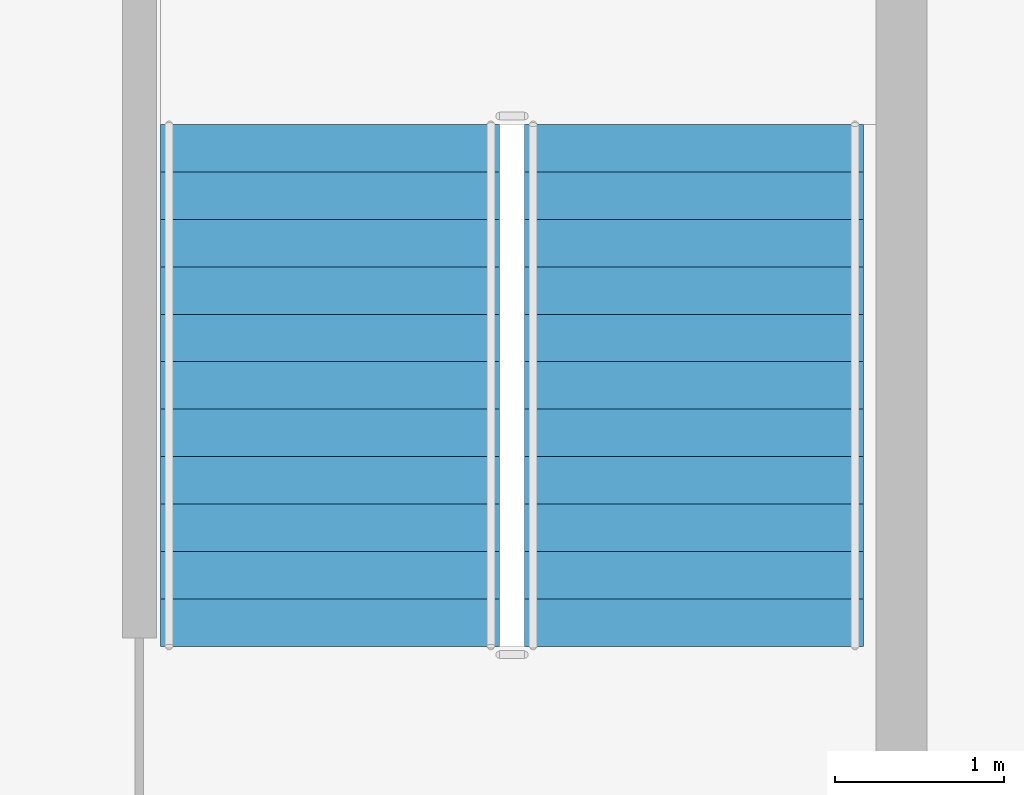
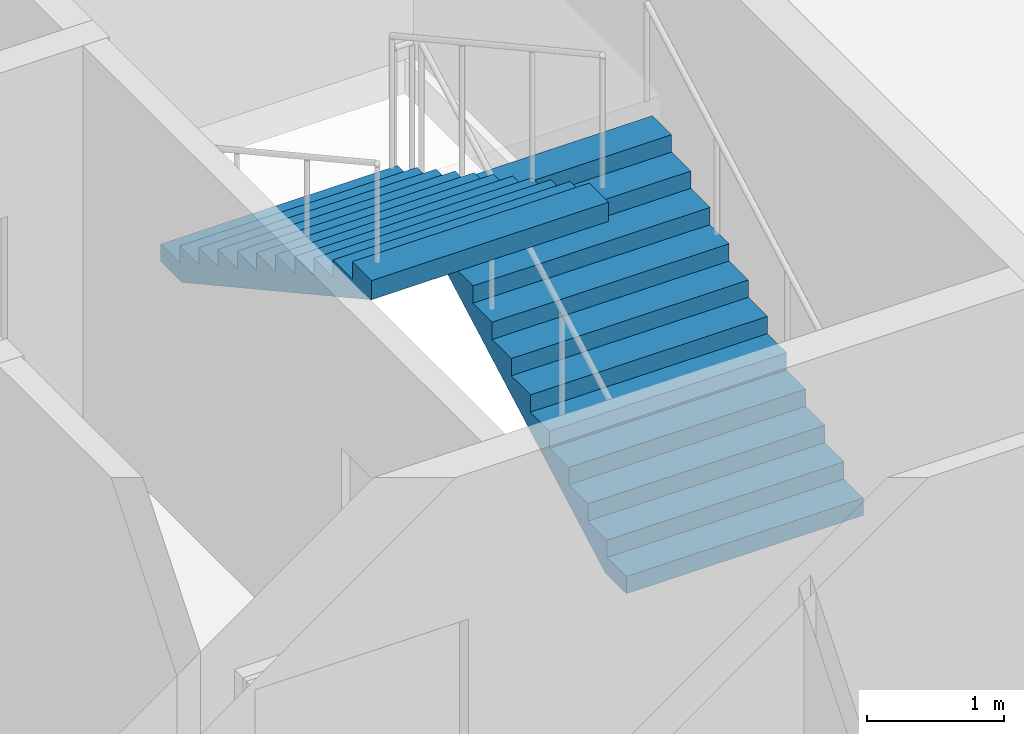
# One storey, part 10 of 12: 2 stair flights, 1 element without a shape of its own.
"""IFC4 building model written with IfcOpenShell, lengths in metres."""

from ifc_helpers import new_model, si_unit, direction, frame, origin, place, context, subcontext, project, spatial, polygons, material, type_object, element, aggregate, save


model = new_model("IFC4")

# Units and contexts
model_context = context("Model", 3, precision=1e-05, world=origin(), true_north=direction((0.0, 1.0)))
body_context = subcontext(model_context, "Body", "Model", "MODEL_VIEW")
ifc_project = project(units=[si_unit("LENGTHUNIT", "METRE"), si_unit("AREAUNIT", "SQUARE_METRE"), si_unit("VOLUMEUNIT", "CUBIC_METRE"), si_unit("PLANEANGLEUNIT", "RADIAN"), si_unit("MASSUNIT", "GRAM", prefix="KILO")], contexts=[model_context])

# Site, building, storey
site_placement = place(None, origin())
site = spatial("IfcSite", under=ifc_project, at=site_placement, CompositionType="ELEMENT")
building_placement = place(site_placement, origin())
building = spatial("IfcBuilding", under=site, at=building_placement, Name="Caravel Reach Hotel and Residences", CompositionType="ELEMENT")
storey_placement = place(building_placement, frame((0.0, 0.0, 196.10009765625)))
storey = spatial("IfcBuildingStorey", under=building, at=storey_placement, Name="L49", CompositionType="ELEMENT", Elevation=196.10009765625)

# Stair, stair flights
ifc_material_1 = material(Name="Concrete C40", Category="concrete")
stair_type = type_object("IfcStairType", Name="Core stair", PredefinedType="HALF_TURN_STAIR", material=ifc_material_1)
stair_placement = place(storey_placement, origin())
stair = element("IfcStair", 1, at=stair_placement, inside=storey, type_object=stair_type, Name="L49 Exit stair B", PredefinedType="HALF_TURN_STAIR")
ifc_material_2 = material(Name="Concrete C40", Category="concrete")
stair_flight_type = type_object("IfcStairFlightType", Name="Core stair flight", PredefinedType="STRAIGHT", material=ifc_material_2)
stair_flight_1_placement = place(storey_placement, frame((43.77490234375, 24.64990234375, 0.0), z_axis=(0.0, 0.0, 1.0), x_axis=(0.0, 1.0, 0.0)))
stair_flight_1 = element("IfcStairFlight", 2, at=stair_flight_1_placement, type_object=stair_flight_type, Name="ST-B flight 1", NumberOfRisers=12, NumberOfTreads=11, PredefinedType="STRAIGHT", RiserHeight=0.154166667, TreadLength=0.28, context=body_context, shape_type="Tessellation", body=[
    polygons([(0.3107950034306102, 1.0, 0.0), (0.3107950034306102, 0.6666666666666667, 0.0), (0.3107950034306102, 0.33333333333333337, 0.0), (0.3107950034306102, 0.0, 0.0), (0.3107950034306102, -0.33333333333333326, 0.0), (0.3107950034306102, -0.6666666666666667, 0.0), (0.3107950034306102, -1.0, 0.0), (3.081, 1.0, 1.524711087717319), (3.081, 0.6666666666666667, 1.524711087717319), (3.081, 0.33333333333333337, 1.524711087717319), (3.081, 0.0, 1.524711087717319), (3.081, -0.33333333333333326, 1.524711087717319), (3.081, -0.6666666666666667, 1.524711087717319), (3.081, -1.0, 1.524711087717319), (3.081, 1.0, 1.695833337), (3.081, 0.6666666666666667, 1.695833337), (3.081, 0.33333333333333337, 1.695833337), (3.081, 0.0, 1.695833337), (3.081, -0.33333333333333326, 1.695833337), (3.081, -0.6666666666666667, 1.695833337), (3.081, -1.0, 1.695833337), (2.8000000000000003, 1.0, 1.695833337), (2.8000000000000003, 0.6666666666666667, 1.695833337), (2.8000000000000003, 0.33333333333333337, 1.695833337), (2.8000000000000003, 0.0, 1.695833337), (2.8000000000000003, -0.33333333333333326, 1.695833337), (2.8000000000000003, -0.6666666666666667, 1.695833337), (2.8000000000000003, -1.0, 1.695833337), (2.8000000000000003, 1.0, 1.5416666700000001), (2.8000000000000003, 0.6666666666666667, 1.5416666700000001), (2.8000000000000003, 0.33333333333333337, 1.5416666700000001), (2.8000000000000003, 0.0, 1.5416666700000001), (2.8000000000000003, -0.33333333333333326, 1.5416666700000001), (2.8000000000000003, -0.6666666666666667, 1.5416666700000001), (2.8000000000000003, -1.0, 1.5416666700000001), (2.5200000000000005, 1.0, 1.5416666700000001), (2.5200000000000005, 0.6666666666666667, 1.5416666700000001), (2.5200000000000005, 0.33333333333333337, 1.5416666700000001), (2.5200000000000005, 0.0, 1.5416666700000001), (2.5200000000000005, -0.33333333333333326, 1.5416666700000001), (2.5200000000000005, -0.6666666666666667, 1.5416666700000001), (2.5200000000000005, -1.0, 1.5416666700000001), (2.5200000000000005, 1.0, 1.387500003), (2.5200000000000005, 0.6666666666666667, 1.387500003), (2.5200000000000005, 0.33333333333333337, 1.387500003), (2.5200000000000005, 0.0, 1.387500003), (2.5200000000000005, -0.33333333333333326, 1.387500003), (2.5200000000000005, -0.6666666666666667, 1.387500003), (2.5200000000000005, -1.0, 1.387500003), (2.24, 1.0, 1.387500003), (2.24, 0.6666666666666667, 1.387500003), (2.24, 0.33333333333333337, 1.387500003), (2.24, 0.0, 1.387500003), (2.24, -0.33333333333333326, 1.387500003), (2.24, -0.6666666666666667, 1.387500003), (2.24, -1.0, 1.387500003), (2.24, 1.0, 1.233333336), (2.24, 0.6666666666666667, 1.233333336), (2.24, 0.33333333333333337, 1.233333336), (2.24, 0.0, 1.233333336), (2.24, -0.33333333333333326, 1.233333336), (2.24, -0.6666666666666667, 1.233333336), (2.24, -1.0, 1.233333336), (1.9600000000000002, 1.0, 1.233333336), (1.9600000000000002, 0.6666666666666667, 1.233333336), (1.9600000000000002, 0.33333333333333337, 1.233333336), (1.9600000000000002, 0.0, 1.233333336), (1.9600000000000002, -0.33333333333333326, 1.233333336), (1.9600000000000002, -0.6666666666666667, 1.233333336), (1.9600000000000002, -1.0, 1.233333336), (1.9600000000000002, 1.0, 1.0791666690000001), (1.9600000000000002, 0.6666666666666667, 1.0791666690000001), (1.9600000000000002, 0.33333333333333337, 1.0791666690000001), (1.9600000000000002, 0.0, 1.0791666690000001), (1.9600000000000002, -0.33333333333333326, 1.0791666690000001), (1.9600000000000002, -0.6666666666666667, 1.0791666690000001), (1.9600000000000002, -1.0, 1.0791666690000001), (1.6800000000000002, 1.0, 1.0791666690000001), (1.6800000000000002, 0.6666666666666667, 1.0791666690000001), (1.6800000000000002, 0.33333333333333337, 1.0791666690000001), (1.6800000000000002, 0.0, 1.0791666690000001), (1.6800000000000002, -0.33333333333333326, 1.0791666690000001), (1.6800000000000002, -0.6666666666666667, 1.0791666690000001), (1.6800000000000002, -1.0, 1.0791666690000001), (1.6800000000000002, 1.0, 0.925000002), (1.6800000000000002, 0.6666666666666667, 0.925000002), (1.6800000000000002, 0.33333333333333337, 0.925000002), (1.6800000000000002, 0.0, 0.925000002), (1.6800000000000002, -0.33333333333333326, 0.925000002), (1.6800000000000002, -0.6666666666666667, 0.925000002), (1.6800000000000002, -1.0, 0.925000002), (1.4000000000000001, 1.0, 0.925000002), (1.4000000000000001, 0.6666666666666667, 0.925000002), (1.4000000000000001, 0.33333333333333337, 0.925000002), (1.4000000000000001, 0.0, 0.925000002), (1.4000000000000001, -0.33333333333333326, 0.925000002), (1.4000000000000001, -0.6666666666666667, 0.925000002), (1.4000000000000001, -1.0, 0.925000002), (1.4000000000000001, 1.0, 0.7708333350000001), (1.4000000000000001, 0.6666666666666667, 0.7708333350000001), (1.4000000000000001, 0.33333333333333337, 0.7708333350000001), (1.4000000000000001, 0.0, 0.7708333350000001), (1.4000000000000001, -0.33333333333333326, 0.7708333350000001), (1.4000000000000001, -0.6666666666666667, 0.7708333350000001), (1.4000000000000001, -1.0, 0.7708333350000001), (1.12, 1.0, 0.7708333350000001), (1.12, 0.6666666666666667, 0.7708333350000001), (1.12, 0.33333333333333337, 0.7708333350000001), (1.12, 0.0, 0.7708333350000001), (1.12, -0.33333333333333326, 0.7708333350000001), (1.12, -0.6666666666666667, 0.7708333350000001), (1.12, -1.0, 0.7708333350000001), (1.12, 1.0, 0.616666668), (1.12, 0.6666666666666667, 0.616666668), (1.12, 0.33333333333333337, 0.616666668), (1.12, 0.0, 0.616666668), (1.12, -0.33333333333333326, 0.616666668), (1.12, -0.6666666666666667, 0.616666668), (1.12, -1.0, 0.616666668), (0.8400000000000001, 1.0, 0.616666668), (0.8400000000000001, 0.6666666666666667, 0.616666668), (0.8400000000000001, 0.33333333333333337, 0.616666668), (0.8400000000000001, 0.0, 0.616666668), (0.8400000000000001, -0.33333333333333326, 0.616666668), (0.8400000000000001, -0.6666666666666667, 0.616666668), (0.8400000000000001, -1.0, 0.616666668), (0.8400000000000001, 1.0, 0.462500001), (0.8400000000000001, 0.6666666666666667, 0.462500001), (0.8400000000000001, 0.33333333333333337, 0.462500001), (0.8400000000000001, 0.0, 0.462500001), (0.8400000000000001, -0.33333333333333326, 0.462500001), (0.8400000000000001, -0.6666666666666667, 0.462500001), (0.8400000000000001, -1.0, 0.462500001), (0.56, 1.0, 0.462500001), (0.56, 0.6666666666666667, 0.462500001), (0.56, 0.33333333333333337, 0.462500001), (0.56, 0.0, 0.462500001), (0.56, -0.33333333333333326, 0.462500001), (0.56, -0.6666666666666667, 0.462500001), (0.56, -1.0, 0.462500001), (0.56, 1.0, 0.308333334), (0.56, 0.6666666666666667, 0.308333334), (0.56, 0.33333333333333337, 0.308333334), (0.56, 0.0, 0.308333334), (0.56, -0.33333333333333326, 0.308333334), (0.56, -0.6666666666666667, 0.308333334), (0.56, -1.0, 0.308333334), (0.28, 1.0, 0.308333334), (0.28, 0.6666666666666667, 0.308333334), (0.28, 0.33333333333333337, 0.308333334), (0.28, 0.0, 0.308333334), (0.28, -0.33333333333333326, 0.308333334), (0.28, -0.6666666666666667, 0.308333334), (0.28, -1.0, 0.308333334), (0.28, 1.0, 0.154166667), (0.28, 0.6666666666666667, 0.154166667), (0.28, 0.33333333333333337, 0.154166667), (0.28, 0.0, 0.154166667), (0.28, -0.33333333333333326, 0.154166667), (0.28, -0.6666666666666667, 0.154166667), (0.28, -1.0, 0.154166667), (-0.001, 1.0, 0.154166667), (-0.001, 0.6666666666666667, 0.154166667), (-0.001, 0.33333333333333337, 0.154166667), (-0.001, 0.0, 0.154166667), (-0.001, -0.33333333333333326, 0.154166667), (-0.001, -0.6666666666666667, 0.154166667), (-0.001, -1.0, 0.154166667), (-0.001, 1.0, 0.0), (-0.001, 0.6666666666666667, 0.0), (-0.001, 0.33333333333333337, 0.0), (-0.001, 0.0, 0.0), (-0.001, -0.33333333333333326, 0.0), (-0.001, -0.6666666666666667, 0.0), (-0.001, -1.0, 0.0)], [[[169, 162, 155, 148, 141, 134, 127, 120, 113, 106, 99, 92, 85, 78, 71, 64, 57, 50, 43, 36, 29, 22, 15, 8, 1]], [[7, 14, 21, 28, 35, 42, 49, 56, 63, 70, 77, 84, 91, 98, 105, 112, 119, 126, 133, 140, 147, 154, 161, 168, 175]], [[1, 8, 9, 2]], [[2, 9, 10, 3]], [[3, 10, 11, 4]], [[4, 11, 12, 5]], [[5, 12, 13, 6]], [[6, 13, 14, 7]], [[8, 15, 16, 9]], [[9, 16, 17, 10]], [[10, 17, 18, 11]], [[11, 18, 19, 12]], [[12, 19, 20, 13]], [[13, 20, 21, 14]], [[15, 22, 23, 16]], [[16, 23, 24, 17]], [[17, 24, 25, 18]], [[18, 25, 26, 19]], [[19, 26, 27, 20]], [[20, 27, 28, 21]], [[22, 29, 30, 23]], [[23, 30, 31, 24]], [[24, 31, 32, 25]], [[25, 32, 33, 26]], [[26, 33, 34, 27]], [[27, 34, 35, 28]], [[29, 36, 37, 30]], [[30, 37, 38, 31]], [[31, 38, 39, 32]], [[32, 39, 40, 33]], [[33, 40, 41, 34]], [[34, 41, 42, 35]], [[36, 43, 44, 37]], [[37, 44, 45, 38]], [[38, 45, 46, 39]], [[39, 46, 47, 40]], [[40, 47, 48, 41]], [[41, 48, 49, 42]], [[43, 50, 51, 44]], [[44, 51, 52, 45]], [[45, 52, 53, 46]], [[46, 53, 54, 47]], [[47, 54, 55, 48]], [[48, 55, 56, 49]], [[50, 57, 58, 51]], [[51, 58, 59, 52]], [[52, 59, 60, 53]], [[53, 60, 61, 54]], [[54, 61, 62, 55]], [[55, 62, 63, 56]], [[57, 64, 65, 58]], [[58, 65, 66, 59]], [[59, 66, 67, 60]], [[60, 67, 68, 61]], [[61, 68, 69, 62]], [[62, 69, 70, 63]], [[64, 71, 72, 65]], [[65, 72, 73, 66]], [[66, 73, 74, 67]], [[67, 74, 75, 68]], [[68, 75, 76, 69]], [[69, 76, 77, 70]], [[71, 78, 79, 72]], [[72, 79, 80, 73]], [[73, 80, 81, 74]], [[74, 81, 82, 75]], [[75, 82, 83, 76]], [[76, 83, 84, 77]], [[78, 85, 86, 79]], [[79, 86, 87, 80]], [[80, 87, 88, 81]], [[81, 88, 89, 82]], [[82, 89, 90, 83]], [[83, 90, 91, 84]], [[85, 92, 93, 86]], [[86, 93, 94, 87]], [[87, 94, 95, 88]], [[88, 95, 96, 89]], [[89, 96, 97, 90]], [[90, 97, 98, 91]], [[92, 99, 100, 93]], [[93, 100, 101, 94]], [[94, 101, 102, 95]], [[95, 102, 103, 96]], [[96, 103, 104, 97]], [[97, 104, 105, 98]], [[99, 106, 107, 100]], [[100, 107, 108, 101]], [[101, 108, 109, 102]], [[102, 109, 110, 103]], [[103, 110, 111, 104]], [[104, 111, 112, 105]], [[106, 113, 114, 107]], [[107, 114, 115, 108]], [[108, 115, 116, 109]], [[109, 116, 117, 110]], [[110, 117, 118, 111]], [[111, 118, 119, 112]], [[113, 120, 121, 114]], [[114, 121, 122, 115]], [[115, 122, 123, 116]], [[116, 123, 124, 117]], [[117, 124, 125, 118]], [[118, 125, 126, 119]], [[120, 127, 128, 121]], [[121, 128, 129, 122]], [[122, 129, 130, 123]], [[123, 130, 131, 124]], [[124, 131, 132, 125]], [[125, 132, 133, 126]], [[127, 134, 135, 128]], [[128, 135, 136, 129]], [[129, 136, 137, 130]], [[130, 137, 138, 131]], [[131, 138, 139, 132]], [[132, 139, 140, 133]], [[134, 141, 142, 135]], [[135, 142, 143, 136]], [[136, 143, 144, 137]], [[137, 144, 145, 138]], [[138, 145, 146, 139]], [[139, 146, 147, 140]], [[141, 148, 149, 142]], [[142, 149, 150, 143]], [[143, 150, 151, 144]], [[144, 151, 152, 145]], [[145, 152, 153, 146]], [[146, 153, 154, 147]], [[148, 155, 156, 149]], [[149, 156, 157, 150]], [[150, 157, 158, 151]], [[151, 158, 159, 152]], [[152, 159, 160, 153]], [[153, 160, 161, 154]], [[155, 162, 163, 156]], [[156, 163, 164, 157]], [[157, 164, 165, 158]], [[158, 165, 166, 159]], [[159, 166, 167, 160]], [[160, 167, 168, 161]], [[162, 169, 170, 163]], [[163, 170, 171, 164]], [[164, 171, 172, 165]], [[165, 172, 173, 166]], [[166, 173, 174, 167]], [[167, 174, 175, 168]], [[169, 1, 2, 170]], [[170, 2, 3, 171]], [[171, 3, 4, 172]], [[172, 4, 5, 173]], [[173, 5, 6, 174]], [[174, 6, 7, 175]]], closed=True),
])
stair_flight_2_placement = place(storey_placement, frame((41.625, 27.72998046875, 1.849853515625), z_axis=(0.0, 0.0, 1.0), x_axis=(0.0, -1.0, 0.0)))
stair_flight_2 = element("IfcStairFlight", 3, at=stair_flight_2_placement, type_object=stair_flight_type, Name="ST-B flight 2", NumberOfRisers=12, NumberOfTreads=11, PredefinedType="STRAIGHT", RiserHeight=0.154166667, TreadLength=0.28, context=body_context, shape_type="Tessellation", body=[
    polygons([(0.3107950034306102, 1.0, 0.0), (0.3107950034306102, 0.6666666666666667, 0.0), (0.3107950034306102, 0.33333333333333337, 0.0), (0.3107950034306102, 0.0, 0.0), (0.3107950034306102, -0.33333333333333326, 0.0), (0.3107950034306102, -0.6666666666666667, 0.0), (0.3107950034306102, -1.0, 0.0), (3.081, 1.0, 1.524711087717319), (3.081, 0.6666666666666667, 1.524711087717319), (3.081, 0.33333333333333337, 1.524711087717319), (3.081, 0.0, 1.524711087717319), (3.081, -0.33333333333333326, 1.524711087717319), (3.081, -0.6666666666666667, 1.524711087717319), (3.081, -1.0, 1.524711087717319), (3.081, 1.0, 1.695833337), (3.081, 0.6666666666666667, 1.695833337), (3.081, 0.33333333333333337, 1.695833337), (3.081, 0.0, 1.695833337), (3.081, -0.33333333333333326, 1.695833337), (3.081, -0.6666666666666667, 1.695833337), (3.081, -1.0, 1.695833337), (2.8000000000000003, 1.0, 1.695833337), (2.8000000000000003, 0.6666666666666667, 1.695833337), (2.8000000000000003, 0.33333333333333337, 1.695833337), (2.8000000000000003, 0.0, 1.695833337), (2.8000000000000003, -0.33333333333333326, 1.695833337), (2.8000000000000003, -0.6666666666666667, 1.695833337), (2.8000000000000003, -1.0, 1.695833337), (2.8000000000000003, 1.0, 1.5416666700000001), (2.8000000000000003, 0.6666666666666667, 1.5416666700000001), (2.8000000000000003, 0.33333333333333337, 1.5416666700000001), (2.8000000000000003, 0.0, 1.5416666700000001), (2.8000000000000003, -0.33333333333333326, 1.5416666700000001), (2.8000000000000003, -0.6666666666666667, 1.5416666700000001), (2.8000000000000003, -1.0, 1.5416666700000001), (2.5200000000000005, 1.0, 1.5416666700000001), (2.5200000000000005, 0.6666666666666667, 1.5416666700000001), (2.5200000000000005, 0.33333333333333337, 1.5416666700000001), (2.5200000000000005, 0.0, 1.5416666700000001), (2.5200000000000005, -0.33333333333333326, 1.5416666700000001), (2.5200000000000005, -0.6666666666666667, 1.5416666700000001), (2.5200000000000005, -1.0, 1.5416666700000001), (2.5200000000000005, 1.0, 1.387500003), (2.5200000000000005, 0.6666666666666667, 1.387500003), (2.5200000000000005, 0.33333333333333337, 1.387500003), (2.5200000000000005, 0.0, 1.387500003), (2.5200000000000005, -0.33333333333333326, 1.387500003), (2.5200000000000005, -0.6666666666666667, 1.387500003), (2.5200000000000005, -1.0, 1.387500003), (2.24, 1.0, 1.387500003), (2.24, 0.6666666666666667, 1.387500003), (2.24, 0.33333333333333337, 1.387500003), (2.24, 0.0, 1.387500003), (2.24, -0.33333333333333326, 1.387500003), (2.24, -0.6666666666666667, 1.387500003), (2.24, -1.0, 1.387500003), (2.24, 1.0, 1.233333336), (2.24, 0.6666666666666667, 1.233333336), (2.24, 0.33333333333333337, 1.233333336), (2.24, 0.0, 1.233333336), (2.24, -0.33333333333333326, 1.233333336), (2.24, -0.6666666666666667, 1.233333336), (2.24, -1.0, 1.233333336), (1.9600000000000002, 1.0, 1.233333336), (1.9600000000000002, 0.6666666666666667, 1.233333336), (1.9600000000000002, 0.33333333333333337, 1.233333336), (1.9600000000000002, 0.0, 1.233333336), (1.9600000000000002, -0.33333333333333326, 1.233333336), (1.9600000000000002, -0.6666666666666667, 1.233333336), (1.9600000000000002, -1.0, 1.233333336), (1.9600000000000002, 1.0, 1.0791666690000001), (1.9600000000000002, 0.6666666666666667, 1.0791666690000001), (1.9600000000000002, 0.33333333333333337, 1.0791666690000001), (1.9600000000000002, 0.0, 1.0791666690000001), (1.9600000000000002, -0.33333333333333326, 1.0791666690000001), (1.9600000000000002, -0.6666666666666667, 1.0791666690000001), (1.9600000000000002, -1.0, 1.0791666690000001), (1.6800000000000002, 1.0, 1.0791666690000001), (1.6800000000000002, 0.6666666666666667, 1.0791666690000001), (1.6800000000000002, 0.33333333333333337, 1.0791666690000001), (1.6800000000000002, 0.0, 1.0791666690000001), (1.6800000000000002, -0.33333333333333326, 1.0791666690000001), (1.6800000000000002, -0.6666666666666667, 1.0791666690000001), (1.6800000000000002, -1.0, 1.0791666690000001), (1.6800000000000002, 1.0, 0.925000002), (1.6800000000000002, 0.6666666666666667, 0.925000002), (1.6800000000000002, 0.33333333333333337, 0.925000002), (1.6800000000000002, 0.0, 0.925000002), (1.6800000000000002, -0.33333333333333326, 0.925000002), (1.6800000000000002, -0.6666666666666667, 0.925000002), (1.6800000000000002, -1.0, 0.925000002), (1.4000000000000001, 1.0, 0.925000002), (1.4000000000000001, 0.6666666666666667, 0.925000002), (1.4000000000000001, 0.33333333333333337, 0.925000002), (1.4000000000000001, 0.0, 0.925000002), (1.4000000000000001, -0.33333333333333326, 0.925000002), (1.4000000000000001, -0.6666666666666667, 0.925000002), (1.4000000000000001, -1.0, 0.925000002), (1.4000000000000001, 1.0, 0.7708333350000001), (1.4000000000000001, 0.6666666666666667, 0.7708333350000001), (1.4000000000000001, 0.33333333333333337, 0.7708333350000001), (1.4000000000000001, 0.0, 0.7708333350000001), (1.4000000000000001, -0.33333333333333326, 0.7708333350000001), (1.4000000000000001, -0.6666666666666667, 0.7708333350000001), (1.4000000000000001, -1.0, 0.7708333350000001), (1.12, 1.0, 0.7708333350000001), (1.12, 0.6666666666666667, 0.7708333350000001), (1.12, 0.33333333333333337, 0.7708333350000001), (1.12, 0.0, 0.7708333350000001), (1.12, -0.33333333333333326, 0.7708333350000001), (1.12, -0.6666666666666667, 0.7708333350000001), (1.12, -1.0, 0.7708333350000001), (1.12, 1.0, 0.616666668), (1.12, 0.6666666666666667, 0.616666668), (1.12, 0.33333333333333337, 0.616666668), (1.12, 0.0, 0.616666668), (1.12, -0.33333333333333326, 0.616666668), (1.12, -0.6666666666666667, 0.616666668), (1.12, -1.0, 0.616666668), (0.8400000000000001, 1.0, 0.616666668), (0.8400000000000001, 0.6666666666666667, 0.616666668), (0.8400000000000001, 0.33333333333333337, 0.616666668), (0.8400000000000001, 0.0, 0.616666668), (0.8400000000000001, -0.33333333333333326, 0.616666668), (0.8400000000000001, -0.6666666666666667, 0.616666668), (0.8400000000000001, -1.0, 0.616666668), (0.8400000000000001, 1.0, 0.462500001), (0.8400000000000001, 0.6666666666666667, 0.462500001), (0.8400000000000001, 0.33333333333333337, 0.462500001), (0.8400000000000001, 0.0, 0.462500001), (0.8400000000000001, -0.33333333333333326, 0.462500001), (0.8400000000000001, -0.6666666666666667, 0.462500001), (0.8400000000000001, -1.0, 0.462500001), (0.56, 1.0, 0.462500001), (0.56, 0.6666666666666667, 0.462500001), (0.56, 0.33333333333333337, 0.462500001), (0.56, 0.0, 0.462500001), (0.56, -0.33333333333333326, 0.462500001), (0.56, -0.6666666666666667, 0.462500001), (0.56, -1.0, 0.462500001), (0.56, 1.0, 0.308333334), (0.56, 0.6666666666666667, 0.308333334), (0.56, 0.33333333333333337, 0.308333334), (0.56, 0.0, 0.308333334), (0.56, -0.33333333333333326, 0.308333334), (0.56, -0.6666666666666667, 0.308333334), (0.56, -1.0, 0.308333334), (0.28, 1.0, 0.308333334), (0.28, 0.6666666666666667, 0.308333334), (0.28, 0.33333333333333337, 0.308333334), (0.28, 0.0, 0.308333334), (0.28, -0.33333333333333326, 0.308333334), (0.28, -0.6666666666666667, 0.308333334), (0.28, -1.0, 0.308333334), (0.28, 1.0, 0.154166667), (0.28, 0.6666666666666667, 0.154166667), (0.28, 0.33333333333333337, 0.154166667), (0.28, 0.0, 0.154166667), (0.28, -0.33333333333333326, 0.154166667), (0.28, -0.6666666666666667, 0.154166667), (0.28, -1.0, 0.154166667), (-0.001, 1.0, 0.154166667), (-0.001, 0.6666666666666667, 0.154166667), (-0.001, 0.33333333333333337, 0.154166667), (-0.001, 0.0, 0.154166667), (-0.001, -0.33333333333333326, 0.154166667), (-0.001, -0.6666666666666667, 0.154166667), (-0.001, -1.0, 0.154166667), (-0.001, 1.0, 0.0), (-0.001, 0.6666666666666667, 0.0), (-0.001, 0.33333333333333337, 0.0), (-0.001, 0.0, 0.0), (-0.001, -0.33333333333333326, 0.0), (-0.001, -0.6666666666666667, 0.0), (-0.001, -1.0, 0.0)], [[[169, 162, 155, 148, 141, 134, 127, 120, 113, 106, 99, 92, 85, 78, 71, 64, 57, 50, 43, 36, 29, 22, 15, 8, 1]], [[7, 14, 21, 28, 35, 42, 49, 56, 63, 70, 77, 84, 91, 98, 105, 112, 119, 126, 133, 140, 147, 154, 161, 168, 175]], [[1, 8, 9, 2]], [[2, 9, 10, 3]], [[3, 10, 11, 4]], [[4, 11, 12, 5]], [[5, 12, 13, 6]], [[6, 13, 14, 7]], [[8, 15, 16, 9]], [[9, 16, 17, 10]], [[10, 17, 18, 11]], [[11, 18, 19, 12]], [[12, 19, 20, 13]], [[13, 20, 21, 14]], [[15, 22, 23, 16]], [[16, 23, 24, 17]], [[17, 24, 25, 18]], [[18, 25, 26, 19]], [[19, 26, 27, 20]], [[20, 27, 28, 21]], [[22, 29, 30, 23]], [[23, 30, 31, 24]], [[24, 31, 32, 25]], [[25, 32, 33, 26]], [[26, 33, 34, 27]], [[27, 34, 35, 28]], [[29, 36, 37, 30]], [[30, 37, 38, 31]], [[31, 38, 39, 32]], [[32, 39, 40, 33]], [[33, 40, 41, 34]], [[34, 41, 42, 35]], [[36, 43, 44, 37]], [[37, 44, 45, 38]], [[38, 45, 46, 39]], [[39, 46, 47, 40]], [[40, 47, 48, 41]], [[41, 48, 49, 42]], [[43, 50, 51, 44]], [[44, 51, 52, 45]], [[45, 52, 53, 46]], [[46, 53, 54, 47]], [[47, 54, 55, 48]], [[48, 55, 56, 49]], [[50, 57, 58, 51]], [[51, 58, 59, 52]], [[52, 59, 60, 53]], [[53, 60, 61, 54]], [[54, 61, 62, 55]], [[55, 62, 63, 56]], [[57, 64, 65, 58]], [[58, 65, 66, 59]], [[59, 66, 67, 60]], [[60, 67, 68, 61]], [[61, 68, 69, 62]], [[62, 69, 70, 63]], [[64, 71, 72, 65]], [[65, 72, 73, 66]], [[66, 73, 74, 67]], [[67, 74, 75, 68]], [[68, 75, 76, 69]], [[69, 76, 77, 70]], [[71, 78, 79, 72]], [[72, 79, 80, 73]], [[73, 80, 81, 74]], [[74, 81, 82, 75]], [[75, 82, 83, 76]], [[76, 83, 84, 77]], [[78, 85, 86, 79]], [[79, 86, 87, 80]], [[80, 87, 88, 81]], [[81, 88, 89, 82]], [[82, 89, 90, 83]], [[83, 90, 91, 84]], [[85, 92, 93, 86]], [[86, 93, 94, 87]], [[87, 94, 95, 88]], [[88, 95, 96, 89]], [[89, 96, 97, 90]], [[90, 97, 98, 91]], [[92, 99, 100, 93]], [[93, 100, 101, 94]], [[94, 101, 102, 95]], [[95, 102, 103, 96]], [[96, 103, 104, 97]], [[97, 104, 105, 98]], [[99, 106, 107, 100]], [[100, 107, 108, 101]], [[101, 108, 109, 102]], [[102, 109, 110, 103]], [[103, 110, 111, 104]], [[104, 111, 112, 105]], [[106, 113, 114, 107]], [[107, 114, 115, 108]], [[108, 115, 116, 109]], [[109, 116, 117, 110]], [[110, 117, 118, 111]], [[111, 118, 119, 112]], [[113, 120, 121, 114]], [[114, 121, 122, 115]], [[115, 122, 123, 116]], [[116, 123, 124, 117]], [[117, 124, 125, 118]], [[118, 125, 126, 119]], [[120, 127, 128, 121]], [[121, 128, 129, 122]], [[122, 129, 130, 123]], [[123, 130, 131, 124]], [[124, 131, 132, 125]], [[125, 132, 133, 126]], [[127, 134, 135, 128]], [[128, 135, 136, 129]], [[129, 136, 137, 130]], [[130, 137, 138, 131]], [[131, 138, 139, 132]], [[132, 139, 140, 133]], [[134, 141, 142, 135]], [[135, 142, 143, 136]], [[136, 143, 144, 137]], [[137, 144, 145, 138]], [[138, 145, 146, 139]], [[139, 146, 147, 140]], [[141, 148, 149, 142]], [[142, 149, 150, 143]], [[143, 150, 151, 144]], [[144, 151, 152, 145]], [[145, 152, 153, 146]], [[146, 153, 154, 147]], [[148, 155, 156, 149]], [[149, 156, 157, 150]], [[150, 157, 158, 151]], [[151, 158, 159, 152]], [[152, 159, 160, 153]], [[153, 160, 161, 154]], [[155, 162, 163, 156]], [[156, 163, 164, 157]], [[157, 164, 165, 158]], [[158, 165, 166, 159]], [[159, 166, 167, 160]], [[160, 167, 168, 161]], [[162, 169, 170, 163]], [[163, 170, 171, 164]], [[164, 171, 172, 165]], [[165, 172, 173, 166]], [[166, 173, 174, 167]], [[167, 174, 175, 168]], [[169, 1, 2, 170]], [[170, 2, 3, 171]], [[171, 3, 4, 172]], [[172, 4, 5, 173]], [[173, 5, 6, 174]], [[174, 6, 7, 175]]], closed=True),
])
aggregate(stair, [stair_flight_1, stair_flight_2])

save(model, "model.ifc")
